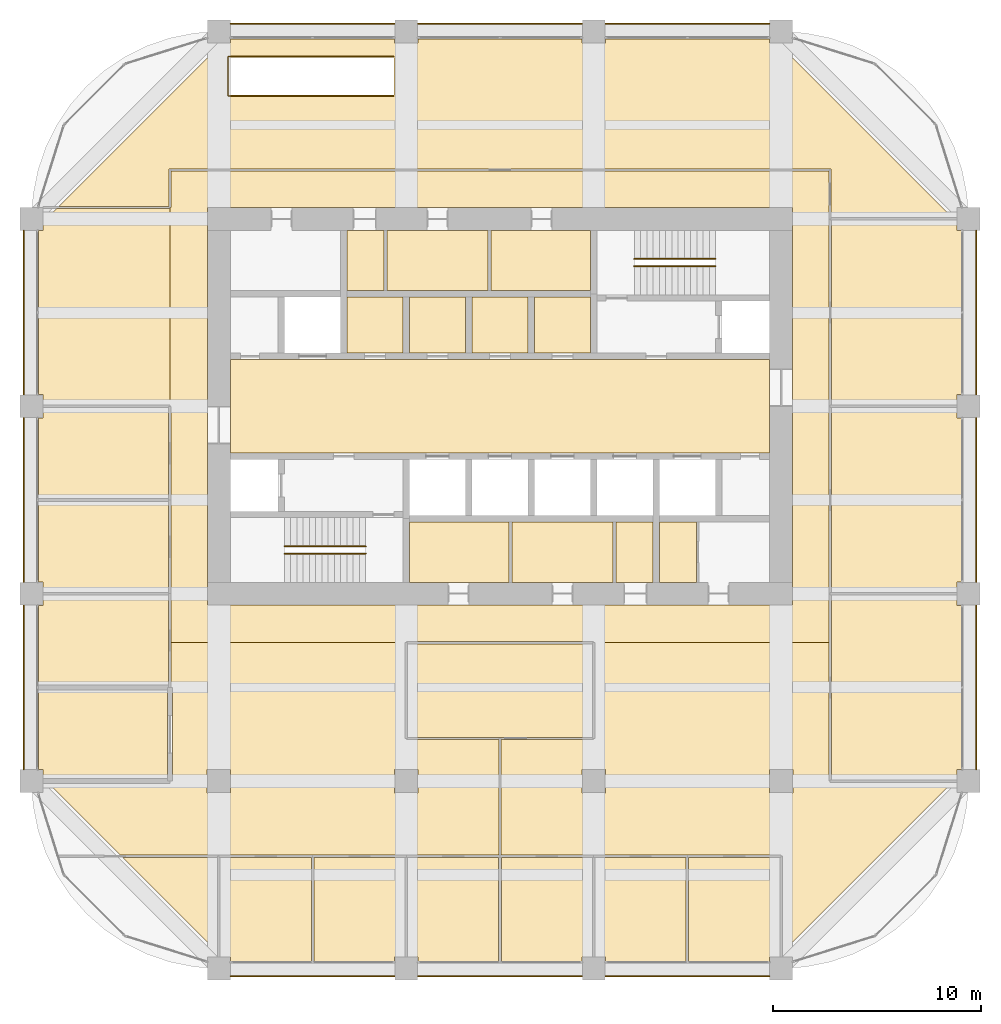
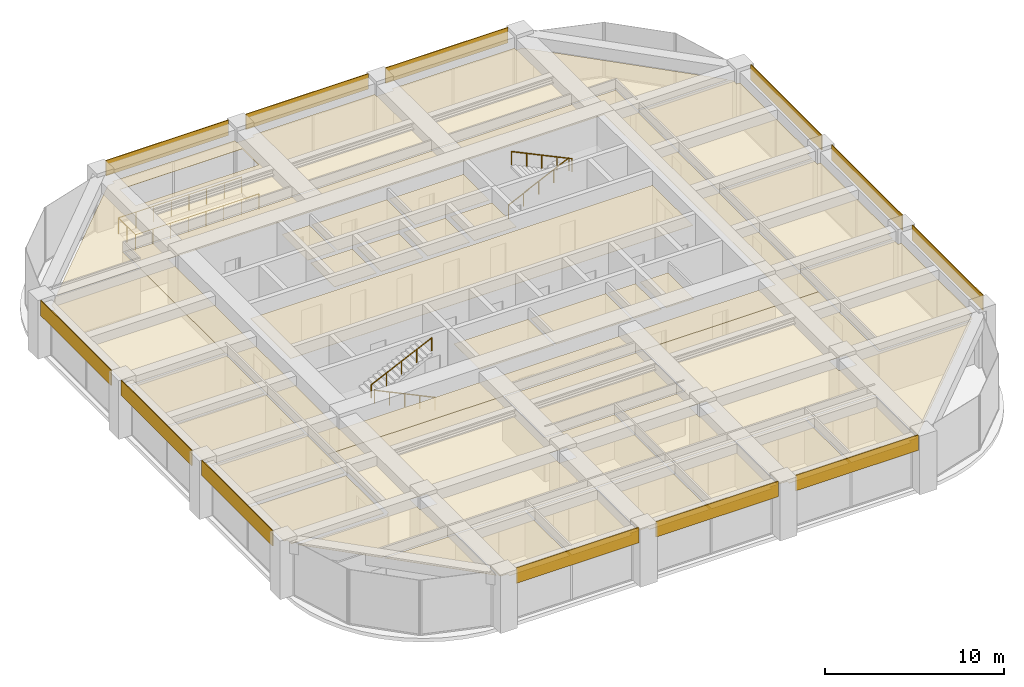
# One storey, part 44 of 44: 44 coverings, 5 railings.
"""IFC4 building model written with IfcOpenShell, lengths in metres."""

from ifc_helpers import new_model, si_unit, direction, frame, frame_2d, origin, origin_2d, place, context, subcontext, project, spatial, polyline, rectangle, circle, outline, extrude, material, layer, layer_set, type_object, element, save


model = new_model("IFC4")

# Units and contexts
model_context = context("Model", 3, precision=1e-05, world=origin(), true_north=direction((0.0, 1.0)))
body_context = subcontext(model_context, "Body", "Model", "MODEL_VIEW")
ifc_project = project(units=[si_unit("LENGTHUNIT", "METRE"), si_unit("AREAUNIT", "SQUARE_METRE"), si_unit("VOLUMEUNIT", "CUBIC_METRE"), si_unit("PLANEANGLEUNIT", "RADIAN"), si_unit("MASSUNIT", "GRAM", prefix="KILO")], contexts=[model_context])

# Site, building, storey
site_placement = place(None, origin())
site = spatial("IfcSite", under=ifc_project, at=site_placement, CompositionType="ELEMENT")
building_placement = place(site_placement, origin())
building = spatial("IfcBuilding", under=site, at=building_placement, Name="Zorevar Civic Tower", CompositionType="ELEMENT")
storey_placement = place(building_placement, frame((0.0, 0.0, 275.39990234375)))
storey = spatial("IfcBuildingStorey", under=building, at=storey_placement, Name="L67", CompositionType="ELEMENT", Elevation=275.39990234375)

# Railings
ifc_material_1 = material(Name="Laminated glass balustrade with black steel handrail", Category="steel")
railing_type_1 = type_object("IfcRailingType", Name="Balustrade BL1 1100", PredefinedType="BALUSTRADE", material=ifc_material_1)
railing_1_placement = place(storey_placement, frame((26.39990234375, 41.89990234375, 0.0)))
element("IfcRailing", 1, at=railing_1_placement, inside=storey, type_object=railing_type_1, Name="Balustrade BL1 stair void L67", PredefinedType="BALUSTRADE", context=body_context, shape_type="SweptSolid", body=[
    extrude(circle(Radius=0.02392578125, at=origin_2d()), frame((0.0, 0.0, 1.076171875), z_axis=(-1.0, 0.0, 0.0), x_axis=(0.0, -1.0, 0.0)), (0.0, 0.0, 1.0), 7.949951171875),
    extrude(circle(Radius=0.02392578125, at=origin_2d()), frame((-7.949951171875, 0.0, 1.076171875), z_axis=(0.0, 1.0, 0.0), x_axis=(-1.0, 0.0, 0.0)), (0.0, 0.0, 1.0), 1.900146484375),
    extrude(circle(Radius=0.02392578125, at=origin_2d()), frame((-7.949951171875, 1.900146484375, 1.076171875), z_axis=(1.0, 0.0, 0.0), x_axis=(0.0, 1.0, 0.0)), (0.0, 0.0, 1.0), 7.949951171875),
    extrude(circle(Radius=0.02099609375, at=origin_2d()), origin(), (0.0, 0.0, 1.0), 1.052001953125),
    extrude(circle(Radius=0.02099609375, at=origin_2d()), frame((-1.1357421875, 0.0, 0.0)), (0.0, 0.0, 1.0), 1.052001953125),
    extrude(circle(Radius=0.02099609375, at=origin_2d()), frame((-2.271484375, 0.0, 0.0)), (0.0, 0.0, 1.0), 1.052001953125),
    extrude(circle(Radius=0.02099609375, at=origin_2d()), frame((-3.4072265625, 0.0, 0.0)), (0.0, 0.0, 1.0), 1.052001953125),
    extrude(circle(Radius=0.02099609375, at=origin_2d()), frame((-4.542724609375, 0.0, 0.0)), (0.0, 0.0, 1.0), 1.052001953125),
    extrude(circle(Radius=0.02099609375, at=origin_2d()), frame((-5.678466796875, 0.0, 0.0)), (0.0, 0.0, 1.0), 1.052001953125),
    extrude(circle(Radius=0.02099609375, at=origin_2d()), frame((-6.814208984375, 0.0, 0.0)), (0.0, 0.0, 1.0), 1.052001953125),
    extrude(circle(Radius=0.02099609375, at=origin_2d()), frame((-7.949951171875, 0.0, 0.0)), (0.0, 0.0, 1.0), 1.052001953125),
    extrude(circle(Radius=0.02099609375, at=origin_2d()), frame((-7.949951171875, 0.9501953125, 0.0)), (0.0, 0.0, 1.0), 1.052001953125),
    extrude(circle(Radius=0.02099609375, at=origin_2d()), frame((-7.949951171875, 1.900146484375, 0.0)), (0.0, 0.0, 1.0), 1.052001953125),
    extrude(circle(Radius=0.02099609375, at=origin_2d()), frame((-6.814208984375, 1.900146484375, 0.0)), (0.0, 0.0, 1.0), 1.052001953125),
    extrude(circle(Radius=0.02099609375, at=origin_2d()), frame((-5.678466796875, 1.900146484375, 0.0)), (0.0, 0.0, 1.0), 1.052001953125),
    extrude(circle(Radius=0.02099609375, at=origin_2d()), frame((-4.542724609375, 1.900146484375, 0.0)), (0.0, 0.0, 1.0), 1.052001953125),
    extrude(circle(Radius=0.02099609375, at=origin_2d()), frame((-3.4072265625, 1.900146484375, 0.0)), (0.0, 0.0, 1.0), 1.052001953125),
    extrude(circle(Radius=0.02099609375, at=origin_2d()), frame((-2.271484375, 1.900146484375, 0.0)), (0.0, 0.0, 1.0), 1.052001953125),
    extrude(circle(Radius=0.02099609375, at=origin_2d()), frame((-1.1357421875, 1.900146484375, 0.0)), (0.0, 0.0, 1.0), 1.052001953125),
    extrude(circle(Radius=0.02099609375, at=origin_2d()), frame((0.0, 1.900146484375, 0.0)), (0.0, 0.0, 1.0), 1.052001953125),
])
ifc_material_2 = material(Name="Black steel handrail", Category="steel")
railing_type_2 = type_object("IfcRailingType", Name="Handrail HR1 900", PredefinedType="HANDRAIL", material=ifc_material_2)
railing_2_placement = place(storey_placement, frame((25.050048828125, 19.925048828125, 0.14306640625)))
element("IfcRailing", 2, at=railing_2_placement, inside=storey, type_object=railing_type_2, Name="Handrail HR1 ST1 L67", PredefinedType="HANDRAIL", context=body_context, shape_type="SweptSolid", body=[
    extrude(circle(Radius=0.02392578125, at=origin_2d()), frame((0.0, 0.0, 0.8759765625), z_axis=(-0.902885590262, 0.0, 0.429880926418), x_axis=(0.0, -1.0, 0.0)), (0.0, 0.0, 1.0), 4.319580078125),
    extrude(circle(Radius=0.02099609375, at=origin_2d()), origin(), (0.0, 0.0, 1.0), 0.851806640625),
    extrude(circle(Radius=0.02099609375, at=origin_2d()), frame((-0.97509765625, 0.0, 0.46435546875)), (0.0, 0.0, 1.0), 0.851806640625),
    extrude(circle(Radius=0.02099609375, at=origin_2d()), frame((-1.9501953125, 0.0, 0.928466796875)), (0.0, 0.0, 1.0), 0.851806640625),
    extrude(circle(Radius=0.02099609375, at=origin_2d()), frame((-2.925048828125, 0.0, 1.392578125)), (0.0, 0.0, 1.0), 0.851806640625),
    extrude(circle(Radius=0.02099609375, at=origin_2d()), frame((-3.900146484375, 0.0, 1.85693359375)), (0.0, 0.0, 1.0), 0.851806640625),
])
for number, where, name in (
    (3, (21.14990234375, 20.27490234375, 2.14306640625), "Handrail HR1 ST1 L67"),
    (4, (37.949951171875, 34.074951171875, 0.14306640625), "Handrail HR1 ST2 L67"),
):
    element("IfcRailing", number, at=place(storey_placement, frame(where)), inside=storey, type_object=railing_type_2, Name=name, PredefinedType="HANDRAIL", context=body_context, shape_type="SweptSolid", body=[
        extrude(circle(Radius=0.02392578125, at=origin_2d()), frame((0.0, 0.0, 0.8759765625), z_axis=(0.902885590262, 0.0, 0.429880926418), x_axis=(0.0, 1.0, 0.0)), (0.0, 0.0, 1.0), 4.319580078125),
        extrude(circle(Radius=0.02099609375, at=origin_2d()), origin(), (0.0, 0.0, 1.0), 0.851806640625),
        extrude(circle(Radius=0.02099609375, at=origin_2d()), frame((0.97509765625, 0.0, 0.46435546875)), (0.0, 0.0, 1.0), 0.851806640625),
        extrude(circle(Radius=0.02099609375, at=origin_2d()), frame((1.9501953125, 0.0, 0.928466796875)), (0.0, 0.0, 1.0), 0.851806640625),
        extrude(circle(Radius=0.02099609375, at=origin_2d()), frame((2.925048828125, 0.0, 1.392578125)), (0.0, 0.0, 1.0), 0.851806640625),
        extrude(circle(Radius=0.02099609375, at=origin_2d()), frame((3.900146484375, 0.0, 1.85693359375)), (0.0, 0.0, 1.0), 0.851806640625),
    ])
railing_3_placement = place(storey_placement, frame((41.85009765625, 33.72509765625, 2.14306640625)))
element("IfcRailing", 5, at=railing_3_placement, inside=storey, type_object=railing_type_2, Name="Handrail HR1 ST2 L67", PredefinedType="HANDRAIL", context=body_context, shape_type="SweptSolid", body=[
    extrude(circle(Radius=0.02392578125, at=origin_2d()), frame((0.0, 0.0, 0.8759765625), z_axis=(-0.902885590262, 0.0, 0.429880926418), x_axis=(0.0, -1.0, 0.0)), (0.0, 0.0, 1.0), 4.319580078125),
    extrude(circle(Radius=0.02099609375, at=origin_2d()), origin(), (0.0, 0.0, 1.0), 0.851806640625),
    extrude(circle(Radius=0.02099609375, at=origin_2d()), frame((-0.97509765625, 0.0, 0.46435546875)), (0.0, 0.0, 1.0), 0.851806640625),
    extrude(circle(Radius=0.02099609375, at=origin_2d()), frame((-1.9501953125, 0.0, 0.928466796875)), (0.0, 0.0, 1.0), 0.851806640625),
    extrude(circle(Radius=0.02099609375, at=origin_2d()), frame((-2.925048828125, 0.0, 1.392578125)), (0.0, 0.0, 1.0), 0.851806640625),
    extrude(circle(Radius=0.02099609375, at=origin_2d()), frame((-3.900146484375, 0.0, 1.85693359375)), (0.0, 0.0, 1.0), 0.851806640625),
])

# Coverings
ifc_material_3 = material(Name="Moisture-resistant gypsum board")
ifc_layer_1 = layer(ifc_material_3, 0.012451171875)
ifc_layer_set_1 = layer_set([ifc_layer_1], Name="Moisture-resistant ceiling SC3")
covering_type_1 = type_object("IfcCoveringType", Name="Moisture-resistant ceiling SC3", PredefinedType="CEILING", material=ifc_layer_set_1)
covering_1_placement = place(storey_placement, frame((0.0, 0.0, 3.0)))
element("IfcCovering", 6, at=covering_1_placement, inside=storey, type_object=covering_type_1, Name="Ceiling L67-05", PredefinedType="CEILING", context=body_context, shape_type="SweptSolid", body=[
    extrude(outline(polyline([(31.925048828125, 18.550048828125), (31.925048828125, 21.449951171875), (27.14990234375, 21.449951171875), (27.14990234375, 18.550048828125), (31.925048828125, 18.550048828125)])), origin(), (0.0, 0.0, 1.0), 0.0126953125),
])
covering_2_placement = place(storey_placement, frame((0.0, 0.0, 3.0)))
element("IfcCovering", 7, at=covering_2_placement, inside=storey, type_object=covering_type_1, Name="Ceiling L67-06", PredefinedType="CEILING", context=body_context, shape_type="SweptSolid", body=[
    extrude(outline(polyline([(36.925048828125, 18.550048828125), (36.925048828125, 21.449951171875), (32.074951171875, 21.449951171875), (32.074951171875, 18.550048828125), (36.925048828125, 18.550048828125)])), origin(), (0.0, 0.0, 1.0), 0.0126953125),
])
covering_3_placement = place(storey_placement, frame((0.0, 0.0, 3.0)))
element("IfcCovering", 8, at=covering_3_placement, inside=storey, type_object=covering_type_1, Name="Ceiling L67-07", PredefinedType="CEILING", context=body_context, shape_type="SweptSolid", body=[
    extrude(outline(polyline([(38.85009765625, 18.550048828125), (38.85009765625, 21.449951171875), (37.074951171875, 21.449951171875), (37.074951171875, 18.550048828125), (38.85009765625, 18.550048828125)])), origin(), (0.0, 0.0, 1.0), 0.0126953125),
])
covering_4_placement = place(storey_placement, frame((0.0, 0.0, 3.0)))
element("IfcCovering", 9, at=covering_4_placement, inside=storey, type_object=covering_type_1, Name="Ceiling L67-08", PredefinedType="CEILING", context=body_context, shape_type="SweptSolid", body=[
    extrude(outline(polyline([(35.85009765625, 32.550048828125), (35.85009765625, 35.449951171875), (31.074951171875, 35.449951171875), (31.074951171875, 32.550048828125), (35.85009765625, 32.550048828125)])), origin(), (0.0, 0.0, 1.0), 0.0126953125),
])
covering_5_placement = place(storey_placement, frame((0.0, 0.0, 3.0)))
element("IfcCovering", 10, at=covering_5_placement, inside=storey, type_object=covering_type_1, Name="Ceiling L67-09", PredefinedType="CEILING", context=body_context, shape_type="SweptSolid", body=[
    extrude(outline(polyline([(30.925048828125, 32.550048828125), (30.925048828125, 35.449951171875), (26.074951171875, 35.449951171875), (26.074951171875, 32.550048828125), (30.925048828125, 32.550048828125)])), origin(), (0.0, 0.0, 1.0), 0.0126953125),
])
covering_6_placement = place(storey_placement, frame((0.0, 0.0, 3.0)))
element("IfcCovering", 11, at=covering_6_placement, inside=storey, type_object=covering_type_1, Name="Ceiling L67-10", PredefinedType="CEILING", context=body_context, shape_type="SweptSolid", body=[
    extrude(outline(polyline([(25.925048828125, 32.550048828125), (25.925048828125, 35.449951171875), (24.14990234375, 35.449951171875), (24.14990234375, 32.550048828125), (25.925048828125, 32.550048828125)])), origin(), (0.0, 0.0, 1.0), 0.0126953125),
])
ifc_material_4 = material(Name="Black anodised aluminium spandrel panel", Category="aluminium")
ifc_layer_2 = layer(ifc_material_4, 0.050048828125)
ifc_layer_set_2 = layer_set([ifc_layer_2], Name="Spandrel cladding SP1")
covering_type_2 = type_object("IfcCoveringType", Name="Spandrel cladding SP1", PredefinedType="CLADDING", material=ifc_layer_set_2)
for number, where, z_axis, x_axis, name in (
    (12, (18.550048828125, -0.375, 2.9501953125), (0.0, 0.0, 1.0), (1.0, 0.0, 0.0), "Spandrel cladding L68"),
    (13, (27.550048828125, -0.375, 2.9501953125), (0.0, 0.0, 1.0), (1.0, 0.0, 0.0), "Spandrel cladding L68"),
    (14, (36.550048828125, -0.375, 2.9501953125), (0.0, 0.0, 1.0), (1.0, 0.0, 0.0), "Spandrel cladding L68"),
    (15, (18.550048828125, 45.375, 2.9501953125), (0.0, 0.0, 1.0), (1.0, 0.0, 0.0), "Spandrel cladding L68"),
    (16, (27.550048828125, 45.375, 2.9501953125), (0.0, 0.0, 1.0), (1.0, 0.0, 0.0), "Spandrel cladding L68"),
    (17, (36.550048828125, 45.375, 2.9501953125), (0.0, 0.0, 1.0), (1.0, 0.0, 0.0), "Spandrel cladding L68"),
    (18, (8.625, 9.550048828125, 2.9501953125), (0.0, 0.0, 1.0), (0.0, 1.0, 0.0), "Spandrel cladding L68"),
    (19, (8.625, 18.550048828125, 2.9501953125), (0.0, 0.0, 1.0), (0.0, 1.0, 0.0), "Spandrel cladding L68"),
    (20, (8.625, 27.550048828125, 2.9501953125), (0.0, 0.0, 1.0), (0.0, 1.0, 0.0), "Spandrel cladding L68"),
    (21, (54.375, 9.550048828125, 2.9501953125), (0.0, 0.0, 1.0), (0.0, 1.0, 0.0), "Spandrel cladding L68"),
    (22, (54.375, 18.550048828125, 2.9501953125), (0.0, 0.0, 1.0), (0.0, 1.0, 0.0), "Spandrel cladding L68"),
    (23, (54.375, 27.550048828125, 2.9501953125), (0.0, 0.0, 1.0), (0.0, 1.0, 0.0), "Spandrel cladding L68"),
):
    element("IfcCovering", number, at=place(storey_placement, frame(where, z_axis=z_axis, x_axis=x_axis)), inside=storey, type_object=covering_type_2, Name=name, PredefinedType="CLADDING", context=body_context, shape_type="SweptSolid", body=[
        extrude(rectangle(XDim=7.89990234375, YDim=0.050048828125, at=frame_2d((3.949951171875, 0.0))), origin(), (0.0, 0.0, 1.0), 1.0498046875),
    ])
ifc_material_5 = material(Name="Mineral fibre tiles on a concealed grid")
ifc_layer_3 = layer(ifc_material_5, 0.02001953125)
ifc_layer_set_3 = layer_set([ifc_layer_3], Name="Suspended ceiling SC1")
covering_type_3 = type_object("IfcCoveringType", Name="Suspended ceiling SC1", PredefinedType="CEILING", material=ifc_layer_set_3)
covering_7_placement = place(storey_placement, frame((0.0, 0.0, 3.0)))
element("IfcCovering", 24, at=covering_7_placement, inside=storey, type_object=covering_type_3, Name="Ceiling L67-11", PredefinedType="CEILING", context=body_context, shape_type="SweptSolid", body=[
    extrude(outline(polyline([(40.93994140625, 18.550048828125), (40.93994140625, 21.449951171875), (39.14990234375, 21.449951171875), (39.14990234375, 18.550048828125), (40.93994140625, 18.550048828125)])), origin(), (0.0, 0.0, 1.0), 0.02001953125),
])
covering_8_placement = place(storey_placement, frame((0.0, 0.0, 3.0)))
element("IfcCovering", 25, at=covering_8_placement, inside=storey, type_object=covering_type_3, Name="Ceiling L67-16", PredefinedType="CEILING", context=body_context, shape_type="SweptSolid", body=[
    extrude(outline(polyline([(44.449951171875, 24.75), (44.449951171875, 29.25), (18.550048828125, 29.25), (18.550048828125, 24.75), (44.449951171875, 24.75)])), origin(), (0.0, 0.0, 1.0), 0.02001953125),
])
covering_9_placement = place(storey_placement, frame((0.0, 0.0, 3.0)))
element("IfcCovering", 26, at=covering_9_placement, inside=storey, type_object=covering_type_3, Name="Ceiling L67-17", PredefinedType="CEILING", context=body_context, shape_type="SweptSolid", body=[
    extrude(outline(polyline([(35.85009765625, 29.550048828125), (35.85009765625, 32.25), (33.14990234375, 32.25), (33.14990234375, 29.550048828125), (35.85009765625, 29.550048828125)])), origin(), (0.0, 0.0, 1.0), 0.02001953125),
])
covering_10_placement = place(storey_placement, frame((0.0, 0.0, 3.0)))
element("IfcCovering", 27, at=covering_10_placement, inside=storey, type_object=covering_type_3, Name="Ceiling L67-18", PredefinedType="CEILING", context=body_context, shape_type="SweptSolid", body=[
    extrude(outline(polyline([(32.85009765625, 29.550048828125), (32.85009765625, 32.25), (30.14990234375, 32.25), (30.14990234375, 29.550048828125), (32.85009765625, 29.550048828125)])), origin(), (0.0, 0.0, 1.0), 0.02001953125),
])
covering_11_placement = place(storey_placement, frame((0.0, 0.0, 3.0)))
element("IfcCovering", 28, at=covering_11_placement, inside=storey, type_object=covering_type_3, Name="Ceiling L67-19", PredefinedType="CEILING", context=body_context, shape_type="SweptSolid", body=[
    extrude(outline(polyline([(29.85009765625, 29.550048828125), (29.85009765625, 32.25), (27.14990234375, 32.25), (27.14990234375, 29.550048828125), (29.85009765625, 29.550048828125)])), origin(), (0.0, 0.0, 1.0), 0.02001953125),
])
covering_12_placement = place(storey_placement, frame((0.0, 0.0, 3.0)))
element("IfcCovering", 29, at=covering_12_placement, inside=storey, type_object=covering_type_3, Name="Ceiling L67-20", PredefinedType="CEILING", context=body_context, shape_type="SweptSolid", body=[
    extrude(outline(polyline([(26.85009765625, 29.550048828125), (26.85009765625, 32.25), (24.14990234375, 32.25), (24.14990234375, 29.550048828125), (26.85009765625, 29.550048828125)])), origin(), (0.0, 0.0, 1.0), 0.02001953125),
])
covering_13_placement = place(storey_placement, frame((0.0, 0.0, 3.0)))
element("IfcCovering", 30, at=covering_13_placement, inside=storey, type_object=covering_type_3, Name="Ceiling L67-21", PredefinedType="CEILING", context=body_context, shape_type="SweptSolid", body=[
    extrude(outline(polyline([(9.58203125, 9.125), (9.56005859375, 9.147216796875), (9.56005859375, 9.56005859375), (9.35009765625, 9.56005859375), (9.35009765625, 13.375), (15.52490234375, 13.375), (15.52490234375, 9.125), (9.58203125, 9.125)])), origin(), (0.0, 0.0, 1.0), 0.02001953125),
])
covering_14_placement = place(storey_placement, frame((0.0, 0.0, 3.0)))
element("IfcCovering", 31, at=covering_14_placement, inside=storey, type_object=covering_type_3, Name="Ceiling L67-22", PredefinedType="CEILING", context=body_context, shape_type="SweptSolid", body=[
    extrude(outline(polyline([(15.590087890625, 13.625), (9.35009765625, 13.625), (9.35009765625, 17.43994140625), (9.56005859375, 17.43994140625), (9.56005859375, 17.93994140625), (15.590087890625, 17.93994140625), (15.590087890625, 13.625)])), origin(), (0.0, 0.0, 1.0), 0.02001953125),
])
covering_15_placement = place(storey_placement, frame((0.0, 0.0, 3.0)))
element("IfcCovering", 32, at=covering_15_placement, inside=storey, type_object=covering_type_3, Name="Ceiling L67-23", PredefinedType="CEILING", context=body_context, shape_type="SweptSolid", body=[
    extrude(outline(polyline([(15.590087890625, 18.06005859375), (9.56005859375, 18.06005859375), (9.56005859375, 18.56005859375), (9.35009765625, 18.56005859375), (9.35009765625, 22.43994140625), (15.590087890625, 22.43994140625), (15.590087890625, 18.06005859375)])), origin(), (0.0, 0.0, 1.0), 0.02001953125),
])
covering_16_placement = place(storey_placement, frame((0.0, 0.0, 3.0)))
element("IfcCovering", 33, at=covering_16_placement, inside=storey, type_object=covering_type_3, Name="Ceiling L67-24", PredefinedType="CEILING", context=body_context, shape_type="SweptSolid", body=[
    extrude(outline(polyline([(15.590087890625, 22.56005859375), (9.35009765625, 22.56005859375), (9.35009765625, 26.43994140625), (9.56005859375, 26.43994140625), (9.56005859375, 26.93994140625), (15.590087890625, 26.93994140625), (15.590087890625, 22.56005859375)])), origin(), (0.0, 0.0, 1.0), 0.02001953125),
])
covering_17_placement = place(storey_placement, frame((0.0, 0.0, 3.0)))
element("IfcCovering", 34, at=covering_17_placement, inside=storey, type_object=covering_type_3, Name="Ceiling L67-25", PredefinedType="CEILING", context=body_context, shape_type="SweptSolid", body=[
    extrude(outline(polyline([(53.43994140625, 9.56005859375), (53.43994140625, 9.147216796875), (53.352783203125, 9.06005859375), (47.409912109375, 9.06005859375), (47.409912109375, 17.93994140625), (53.43994140625, 17.93994140625), (53.43994140625, 17.43994140625), (53.64990234375, 17.43994140625), (53.64990234375, 9.56005859375), (53.43994140625, 9.56005859375)])), origin(), (0.0, 0.0, 1.0), 0.02001953125),
])
covering_18_placement = place(storey_placement, frame((0.0, 0.0, 3.0)))
element("IfcCovering", 35, at=covering_18_placement, inside=storey, type_object=covering_type_3, Name="Ceiling L67-26", PredefinedType="CEILING", context=body_context, shape_type="SweptSolid", body=[
    extrude(outline(polyline([(53.64990234375, 18.56005859375), (53.43994140625, 18.56005859375), (53.43994140625, 18.06005859375), (47.409912109375, 18.06005859375), (47.409912109375, 26.93994140625), (53.43994140625, 26.93994140625), (53.43994140625, 26.43994140625), (53.64990234375, 26.43994140625), (53.64990234375, 18.56005859375)])), origin(), (0.0, 0.0, 1.0), 0.02001953125),
])
covering_19_placement = place(storey_placement, frame((0.0, 0.0, 3.0)))
element("IfcCovering", 36, at=covering_19_placement, inside=storey, type_object=covering_type_3, Name="Ceiling L67-27", PredefinedType="CEILING", context=body_context, shape_type="SweptSolid", body=[
    extrude(outline(polyline([(53.43994140625, 27.56005859375), (53.43994140625, 27.06005859375), (47.409912109375, 27.06005859375), (47.409912109375, 35.93994140625), (53.352783203125, 35.93994140625), (53.43994140625, 35.852783203125), (53.43994140625, 35.43994140625), (53.64990234375, 35.43994140625), (53.64990234375, 27.56005859375), (53.43994140625, 27.56005859375)])), origin(), (0.0, 0.0, 1.0), 0.02001953125),
])
covering_20_placement = place(storey_placement, frame((0.0, 0.0, 3.0)))
element("IfcCovering", 37, at=covering_20_placement, inside=storey, type_object=covering_type_3, Name="Ceiling L67-28", PredefinedType="CEILING", context=body_context, shape_type="SweptSolid", body=[
    extrude(outline(polyline([(22.43994140625, 0.35009765625), (18.56005859375, 0.35009765625), (18.56005859375, 0.56005859375), (18.147216796875, 0.56005859375), (18.06005859375, 0.647216796875), (18.06005859375, 5.340087890625), (22.43994140625, 5.340087890625), (22.43994140625, 0.35009765625)])), origin(), (0.0, 0.0, 1.0), 0.02001953125),
])
covering_21_placement = place(storey_placement, frame((0.0, 0.0, 3.0)))
element("IfcCovering", 38, at=covering_21_placement, inside=storey, type_object=covering_type_3, Name="Ceiling L67-29", PredefinedType="CEILING", context=body_context, shape_type="SweptSolid", body=[
    extrude(outline(polyline([(26.93994140625, 5.340087890625), (26.93994140625, 0.56005859375), (26.43994140625, 0.56005859375), (26.43994140625, 0.35009765625), (22.56005859375, 0.35009765625), (22.56005859375, 5.340087890625), (26.93994140625, 5.340087890625)])), origin(), (0.0, 0.0, 1.0), 0.02001953125),
])
covering_22_placement = place(storey_placement, frame((0.0, 0.0, 3.0)))
element("IfcCovering", 39, at=covering_22_placement, inside=storey, type_object=covering_type_3, Name="Ceiling L67-30", PredefinedType="CEILING", context=body_context, shape_type="SweptSolid", body=[
    extrude(outline(polyline([(31.43994140625, 5.340087890625), (31.43994140625, 0.35009765625), (27.56005859375, 0.35009765625), (27.56005859375, 0.56005859375), (27.06005859375, 0.56005859375), (27.06005859375, 5.340087890625), (31.43994140625, 5.340087890625)])), origin(), (0.0, 0.0, 1.0), 0.02001953125),
])
covering_23_placement = place(storey_placement, frame((0.0, 0.0, 3.0)))
element("IfcCovering", 40, at=covering_23_placement, inside=storey, type_object=covering_type_3, Name="Ceiling L67-31", PredefinedType="CEILING", context=body_context, shape_type="SweptSolid", body=[
    extrude(outline(polyline([(35.93994140625, 5.340087890625), (35.93994140625, 0.56005859375), (35.43994140625, 0.56005859375), (35.43994140625, 0.35009765625), (31.56005859375, 0.35009765625), (31.56005859375, 5.340087890625), (35.93994140625, 5.340087890625)])), origin(), (0.0, 0.0, 1.0), 0.02001953125),
])
covering_24_placement = place(storey_placement, frame((0.0, 0.0, 3.0)))
element("IfcCovering", 41, at=covering_24_placement, inside=storey, type_object=covering_type_3, Name="Ceiling L67-32", PredefinedType="CEILING", context=body_context, shape_type="SweptSolid", body=[
    extrude(outline(polyline([(40.43994140625, 5.340087890625), (40.43994140625, 0.35009765625), (36.56005859375, 0.35009765625), (36.56005859375, 0.56005859375), (36.06005859375, 0.56005859375), (36.06005859375, 5.340087890625), (40.43994140625, 5.340087890625)])), origin(), (0.0, 0.0, 1.0), 0.02001953125),
])
covering_25_placement = place(storey_placement, frame((0.0, 0.0, 3.0)))
element("IfcCovering", 42, at=covering_25_placement, inside=storey, type_object=covering_type_3, Name="Ceiling L67-33", PredefinedType="CEILING", context=body_context, shape_type="SweptSolid", body=[
    extrude(outline(polyline([(44.93994140625, 0.647216796875), (44.852783203125, 0.56005859375), (44.43994140625, 0.56005859375), (44.43994140625, 0.35009765625), (40.56005859375, 0.35009765625), (40.56005859375, 5.340087890625), (44.93994140625, 5.340087890625), (44.93994140625, 0.647216796875)])), origin(), (0.0, 0.0, 1.0), 0.02001953125),
])
covering_26_placement = place(storey_placement, frame((0.0, 0.0, 3.0)))
element("IfcCovering", 43, at=covering_26_placement, inside=storey, type_object=covering_type_3, Name="Ceiling L67-34", PredefinedType="CEILING", context=body_context, shape_type="SweptSolid", body=[
    extrude(outline(polyline([(27.06005859375, 15.590087890625), (35.93994140625, 15.590087890625), (35.93994140625, 11.10009765625), (27.06005859375, 11.10009765625), (27.06005859375, 15.590087890625)])), origin(), (0.0, 0.0, 1.0), 0.02001953125),
])
covering_27_placement = place(storey_placement, frame((0.0, 0.0, 3.0)))
element("IfcCovering", 44, at=covering_27_placement, inside=storey, type_object=covering_type_3, Name="Ceiling L67-35", PredefinedType="CEILING", context=body_context, shape_type="SweptSolid", body=[
    extrude(outline(polyline([(17.93994140625, 5.340087890625), (17.93994140625, 0.76708984375), (13.3671875, 5.340087890625), (17.93994140625, 5.340087890625)])), origin(), (0.0, 0.0, 1.0), 0.02001953125),
])
covering_28_placement = place(storey_placement, frame((0.0, 0.0, 3.0)))
element("IfcCovering", 45, at=covering_28_placement, inside=storey, type_object=covering_type_3, Name="Ceiling L67-36", PredefinedType="CEILING", context=body_context, shape_type="SweptSolid", body=[
    extrude(outline(polyline([(15.7099609375, 15.64990234375), (15.7099609375, 27.0), (15.64990234375, 27.0), (15.64990234375, 36.550048828125), (15.699951171875, 36.550048828125), (15.699951171875, 38.300048828125), (47.300048828125, 38.300048828125), (47.300048828125, 36.0), (47.2900390625, 36.0), (47.2900390625, 15.64990234375), (36.0, 15.64990234375), (36.0, 15.7099609375), (27.0, 15.7099609375), (27.0, 15.64990234375), (15.7099609375, 15.64990234375)]), holes=[polyline([(17.449951171875, 36.550048828125), (17.449951171875, 17.449951171875), (45.550048828125, 17.449951171875), (45.550048828125, 36.550048828125), (17.449951171875, 36.550048828125)])]), origin(), (0.0, 0.0, 1.0), 0.02001953125),
])
covering_29_placement = place(storey_placement, frame((0.0, 0.0, 3.0)))
element("IfcCovering", 46, at=covering_29_placement, inside=storey, type_object=covering_type_3, Name="Ceiling L67-37", PredefinedType="CEILING", context=body_context, shape_type="SweptSolid", body=[
    extrude(outline(polyline([(18.56005859375, 44.43994140625), (18.56005859375, 44.64892578125), (26.43994140625, 44.64892578125), (26.43994140625, 44.43994140625), (27.56005859375, 44.43994140625), (27.56005859375, 44.64892578125), (35.43994140625, 44.64892578125), (35.43994140625, 44.43994140625), (36.56005859375, 44.43994140625), (36.56005859375, 44.64892578125), (44.43994140625, 44.64892578125), (44.43994140625, 44.43994140625), (44.852783203125, 44.43994140625), (53.23291015625, 36.06005859375), (47.400146484375, 36.06005859375), (47.39990234375, 38.40087890625), (15.60009765625, 38.40087890625), (15.59912109375, 36.60107421875), (10.30810546875, 36.60107421875), (18.147216796875, 44.43994140625), (18.56005859375, 44.43994140625)]), holes=[polyline([(18.499755859375, 43.7509765625), (18.4990234375, 41.949462890625), (26.400146484375, 41.948974609375), (26.40087890625, 43.750244140625), (18.499755859375, 43.7509765625)])]), origin(), (0.0, 0.0, 1.0), 0.02001953125),
])
covering_30_placement = place(storey_placement, frame((0.0, 0.0, 3.0)))
element("IfcCovering", 47, at=covering_30_placement, inside=storey, type_object=covering_type_3, Name="Ceiling L67-38", PredefinedType="CEILING", context=body_context, shape_type="SweptSolid", body=[
    extrude(outline(polyline([(15.77490234375, 13.5), (15.7099609375, 13.5), (15.7099609375, 15.64990234375), (26.93994140625, 15.64990234375), (26.93994140625, 11.050048828125), (27.0, 11.050048828125), (27.0, 11.0), (31.449951171875, 11.0), (31.449951171875, 5.4599609375), (13.2470703125, 5.4599609375), (9.83203125, 8.875), (15.64990234375, 8.875), (15.64990234375, 9.0), (15.77490234375, 9.0), (15.77490234375, 13.5)]), holes=[polyline([(17.43994140625, 8.43994140625), (18.56005859375, 8.43994140625), (18.56005859375, 9.56005859375), (17.43994140625, 9.56005859375), (17.43994140625, 8.43994140625)]), polyline([(26.43994140625, 9.56005859375), (26.43994140625, 8.43994140625), (27.56005859375, 8.43994140625), (27.56005859375, 9.56005859375), (26.43994140625, 9.56005859375)])]), origin(), (0.0, 0.0, 1.0), 0.02001953125),
])
covering_31_placement = place(storey_placement, frame((0.0, 0.0, 3.0)))
element("IfcCovering", 48, at=covering_31_placement, inside=storey, type_object=covering_type_3, Name="Ceiling L67-39", PredefinedType="CEILING", context=body_context, shape_type="SweptSolid", body=[
    extrude(outline(polyline([(45.06005859375, 5.39990234375), (45.0, 5.39990234375), (45.0, 5.4599609375), (31.550048828125, 5.4599609375), (31.550048828125, 11.0), (36.0, 11.0), (36.0, 11.050048828125), (36.06005859375, 11.050048828125), (36.06005859375, 15.64990234375), (47.2900390625, 15.64990234375), (47.2900390625, 9.0), (47.35009765625, 9.0), (47.35009765625, 8.93994140625), (53.23291015625, 8.93994140625), (45.06005859375, 0.76708984375), (45.06005859375, 5.39990234375)]), holes=[polyline([(36.56005859375, 9.56005859375), (35.43994140625, 9.56005859375), (35.43994140625, 8.43994140625), (36.56005859375, 8.43994140625), (36.56005859375, 9.56005859375)]), polyline([(44.43994140625, 8.43994140625), (45.56005859375, 8.43994140625), (45.56005859375, 9.56005859375), (44.43994140625, 9.56005859375), (44.43994140625, 8.43994140625)])]), origin(), (0.0, 0.0, 1.0), 0.02001953125),
])
covering_32_placement = place(storey_placement, frame((0.0, 0.0, 3.0)))
element("IfcCovering", 49, at=covering_32_placement, inside=storey, type_object=covering_type_3, Name="Ceiling L67-40", PredefinedType="CEILING", context=body_context, shape_type="SweptSolid", body=[
    extrude(outline(polyline([(9.56005859375, 27.56005859375), (9.35009765625, 27.56005859375), (9.35009765625, 35.43994140625), (9.56005859375, 35.43994140625), (9.56005859375, 35.852783203125), (10.20703125, 36.5), (15.64990234375, 36.5), (15.64990234375, 27.06005859375), (9.56005859375, 27.06005859375), (9.56005859375, 27.56005859375)])), origin(), (0.0, 0.0, 1.0), 0.02001953125),
])

save(model, "model.ifc")
